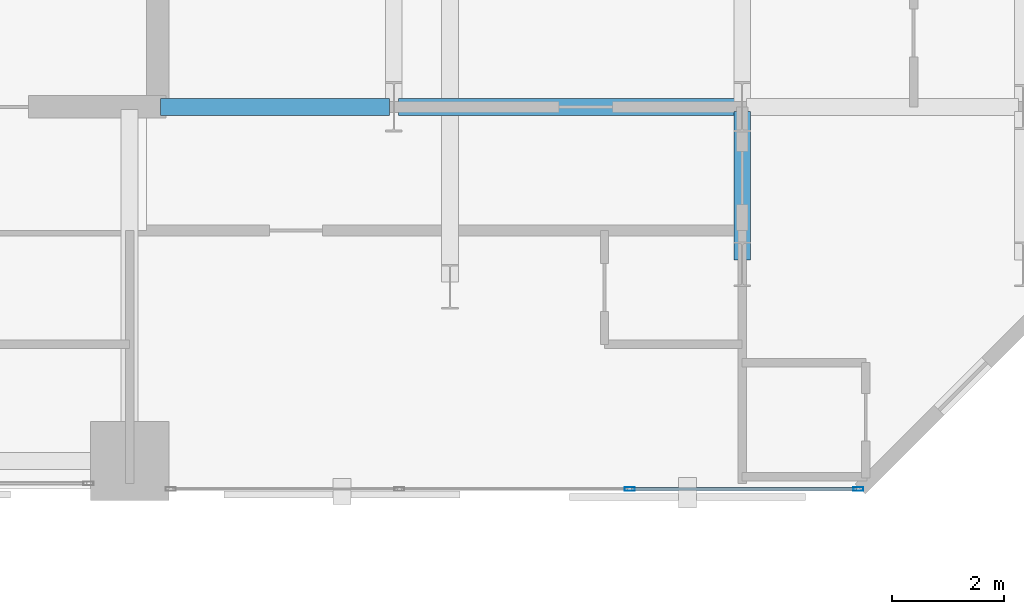
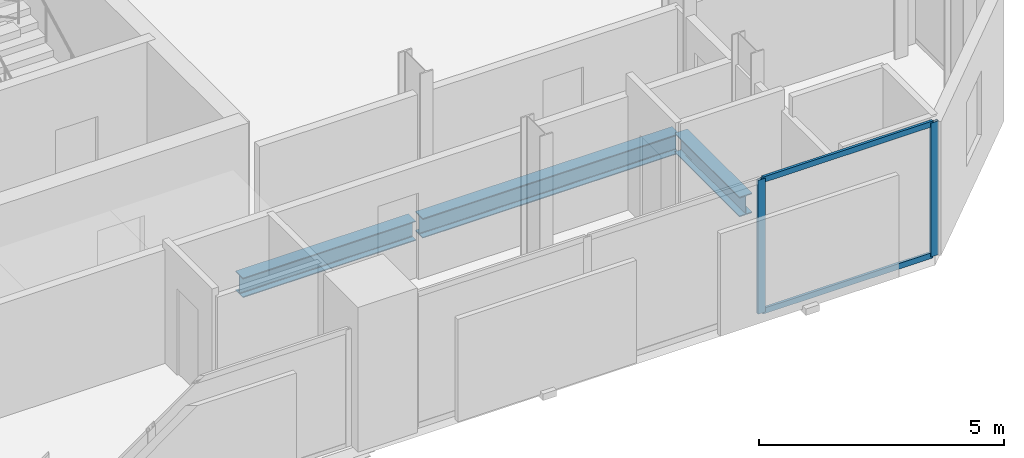
# One storey, part 16 of 33: 4 members, 3 beams, 1 element without a shape of its own.
"""IFC4 building model written with IfcOpenShell, lengths in metres."""

from ifc_helpers import new_model, si_unit, direction, frame, origin, origin_2d, place, context, subcontext, project, spatial, hollow_rectangle, i_section, extrude, material, layer, layer_set, material_profile, profile_set, type_object, element, aggregate, save


model = new_model("IFC4")

# Units and contexts
model_context = context("Model", 3, precision=1e-05, world=origin(), true_north=direction((0.0, 1.0)))
body_context = subcontext(model_context, "Body", "Model", "MODEL_VIEW")
ifc_project = project(units=[si_unit("LENGTHUNIT", "METRE"), si_unit("AREAUNIT", "SQUARE_METRE"), si_unit("VOLUMEUNIT", "CUBIC_METRE"), si_unit("PLANEANGLEUNIT", "RADIAN"), si_unit("MASSUNIT", "GRAM", prefix="KILO")], contexts=[model_context])

# Site, building, storey
site_placement = place(None, origin())
site = spatial("IfcSite", under=ifc_project, at=site_placement, CompositionType="ELEMENT")
building_placement = place(site_placement, origin())
building = spatial("IfcBuilding", under=site, at=building_placement, Name="Catumbela Crestline Tower", CompositionType="ELEMENT")
storey_placement = place(building_placement, frame((0.0, 0.0, 72.6)))
storey = spatial("IfcBuildingStorey", under=building, at=storey_placement, Name="L18", CompositionType="ELEMENT", Elevation=72.6)

# Beams
ifc_material_1 = material(Name="Structural steel S355J2", Category="steel")
ifc_material_profile_1 = material_profile(ifc_material_1, i_section(OverallWidth=0.3, OverallDepth=0.49, WebThickness=0.012, FlangeThickness=0.023, FilletRadius=0.027, at=origin_2d()), Name="HEA 500")
ifc_profile_set_1 = profile_set([ifc_material_profile_1], Name="Structural steel S355J2")
beam_type = type_object("IfcBeamType", Name="BG-HEA500", PredefinedType="BEAM", material=ifc_profile_set_1)
beam_1_placement = place(storey_placement, frame((40.05, 30.8, -0.505), z_axis=(1.0, 0.0, 0.0), x_axis=(0.0, 1.0, 0.0)))
element("IfcBeam", 1, at=beam_1_placement, inside=storey, type_object=beam_type, Name="L18 Beam BM-L18-M10", PredefinedType="BEAM", context=body_context, shape_type="SweptSolid", body=[
    extrude(i_section(OverallWidth=0.3, OverallDepth=0.49, WebThickness=0.012, FlangeThickness=0.023, FilletRadius=0.027, at=origin_2d()), origin(), (0.0, 0.0, 1.0), 4.07),
])
beam_2_placement = place(storey_placement, frame((44.28, 30.8, -0.505), z_axis=(1.0, 0.0, 0.0), x_axis=(0.0, 1.0, 0.0)))
element("IfcBeam", 2, at=beam_2_placement, inside=storey, type_object=beam_type, Name="L18 Beam BM-L18-M11", PredefinedType="BEAM", context=body_context, shape_type="SweptSolid", body=[
    extrude(i_section(OverallWidth=0.3, OverallDepth=0.49, WebThickness=0.012, FlangeThickness=0.023, FilletRadius=0.027, at=origin_2d()), origin(), (0.0, 0.0, 1.0), 6.04),
])
beam_3_placement = place(storey_placement, frame((50.4, 28.08, -0.505), z_axis=(0.0, 1.0, 0.0), x_axis=(-1.0, 0.0, 0.0)))
element("IfcBeam", 3, at=beam_3_placement, inside=storey, type_object=beam_type, Name="L18 Beam BM-L18-SN37", PredefinedType="BEAM", context=body_context, shape_type="SweptSolid", body=[
    extrude(i_section(OverallWidth=0.3, OverallDepth=0.49, WebThickness=0.012, FlangeThickness=0.023, FilletRadius=0.027, at=origin_2d()), origin(), (0.0, 0.0, 1.0), 2.64),
])

# Curtain wall, members
ifc_material_2 = material(Name="Aluminium alloy AW-6060-T66", Category="aluminium")
ifc_layer = layer(ifc_material_2, 0.18, Name="Aluminium alloy AW-6060-T66")
ifc_layer_set = layer_set([ifc_layer], Name="Aluminium alloy AW-6060-T66")
curtain_wall_type = type_object("IfcCurtainWallType", Name="CWU-Z1", PredefinedType="USERDEFINED", material=ifc_layer_set)
curtain_wall_placement = place(storey_placement, origin())
curtain_wall = element("IfcCurtainWall", 4, at=curtain_wall_placement, inside=storey, type_object=curtain_wall_type, Name="L18 Unitised Curtain Wall CW-L18-E3S2", ObjectType="UNITISED", PredefinedType="USERDEFINED")
ifc_material_profile_2 = material_profile(ifc_material_2, hollow_rectangle(XDim=0.065, YDim=0.18, WallThickness=0.004, at=origin_2d()), Name="ALU 180x65x4")
ifc_profile_set_2 = profile_set([ifc_material_profile_2], Name="Aluminium alloy AW-6060-T66")
member_type_1 = type_object("IfcMemberType", Name="MUL-180X65", PredefinedType="MULLION", material=ifc_profile_set_2)
member_1_placement = place(storey_placement, frame((48.4, 24.0, 0.0), z_axis=(0.0, 0.0, 1.0), x_axis=(0.0, 1.0, 0.0)))
member_1 = element("IfcMember", 5, at=member_1_placement, type_object=member_type_1, Name="CWU-Z1 mullion 3", PredefinedType="MULLION", context=body_context, shape_type="SweptSolid", body=[
    extrude(hollow_rectangle(XDim=0.065, YDim=0.18, WallThickness=0.004, at=origin_2d()), origin(), (0.0, 0.0, 1.0), 3.33),
])
member_2_placement = place(storey_placement, frame((52.4675, 24.0, 0.0), z_axis=(0.0, 0.0, 1.0), x_axis=(0.0, 1.0, 0.0)))
member_2 = element("IfcMember", 6, at=member_2_placement, type_object=member_type_1, Name="CWU-Z1 mullion 4", PredefinedType="MULLION", context=body_context, shape_type="SweptSolid", body=[
    extrude(hollow_rectangle(XDim=0.065, YDim=0.18, WallThickness=0.004, at=origin_2d()), origin(), (0.0, 0.0, 1.0), 3.33),
])
ifc_material_profile_3 = material_profile(ifc_material_2, hollow_rectangle(XDim=0.06, YDim=0.14, WallThickness=0.004, at=origin_2d()), Name="ALU 140x60x4")
ifc_profile_set_3 = profile_set([ifc_material_profile_3], Name="Aluminium alloy AW-6060-T66")
member_type_2 = type_object("IfcMemberType", Name="TRN-140X60", PredefinedType="USERDEFINED", material=ifc_profile_set_3)
member_3_placement = place(storey_placement, frame((48.4325, 24.0, 0.03), z_axis=(1.0, 0.0, 0.0), x_axis=(0.0, 1.0, 0.0)))
member_3 = element("IfcMember", 7, at=member_3_placement, type_object=member_type_2, Name="CWU-Z1 transom 3.1", ObjectType="TRANSOM", PredefinedType="USERDEFINED", context=body_context, shape_type="SweptSolid", body=[
    extrude(hollow_rectangle(XDim=0.06, YDim=0.14, WallThickness=0.004, at=origin_2d()), origin(), (0.0, 0.0, 1.0), 4.0025),
])
member_4_placement = place(storey_placement, frame((48.4325, 24.0, 3.3), z_axis=(1.0, 0.0, 0.0), x_axis=(0.0, 1.0, 0.0)))
member_4 = element("IfcMember", 8, at=member_4_placement, type_object=member_type_2, Name="CWU-Z1 transom 3.2", ObjectType="TRANSOM", PredefinedType="USERDEFINED", context=body_context, shape_type="SweptSolid", body=[
    extrude(hollow_rectangle(XDim=0.06, YDim=0.14, WallThickness=0.004, at=origin_2d()), origin(), (0.0, 0.0, 1.0), 4.0025),
])
aggregate(curtain_wall, [member_1, member_2, member_3, member_4])

save(model, "model.ifc")
